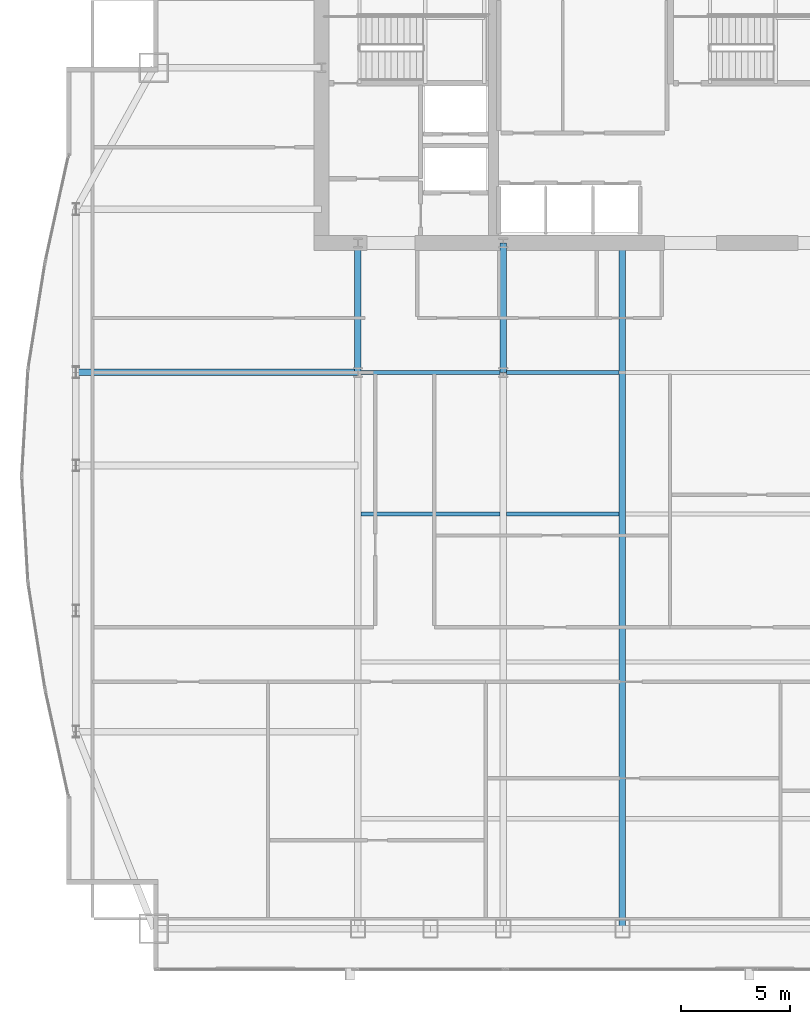
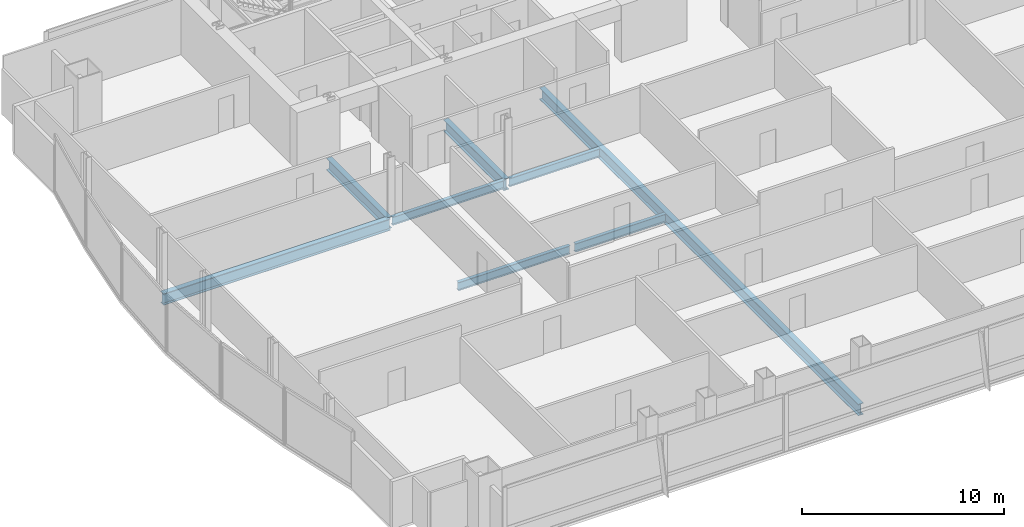
# One storey, part 12 of 29: 8 beams.
"""IFC4 building model written with IfcOpenShell, lengths in metres."""

from ifc_helpers import new_model, si_unit, direction, frame, origin, origin_2d, place, context, subcontext, project, spatial, i_section, extrude, material, material_profile, profile_set, type_object, element, save


model = new_model("IFC4")

# Units and contexts
model_context = context("Model", 3, precision=1e-05, world=origin(), true_north=direction((0.0, 1.0)))
body_context = subcontext(model_context, "Body", "Model", "MODEL_VIEW")
ifc_project = project(units=[si_unit("LENGTHUNIT", "METRE"), si_unit("AREAUNIT", "SQUARE_METRE"), si_unit("VOLUMEUNIT", "CUBIC_METRE"), si_unit("PLANEANGLEUNIT", "RADIAN"), si_unit("MASSUNIT", "GRAM", prefix="KILO")], contexts=[model_context])

# Site, building, storey
site_placement = place(None, origin())
site = spatial("IfcSite", under=ifc_project, at=site_placement, CompositionType="ELEMENT")
building_placement = place(site_placement, origin())
building = spatial("IfcBuilding", under=site, at=building_placement, Name="Khoronbel Lancet Exchange", CompositionType="ELEMENT")
storey_placement = place(building_placement, frame((0.0, 0.0, 161.39990234375)))
storey = spatial("IfcBuildingStorey", under=building, at=storey_placement, Name="L40", CompositionType="ELEMENT", Elevation=161.39990234375)

# Beams
ifc_material = material(Name="Steel S355", Category="steel")
ifc_material_profile_1 = material_profile(ifc_material, i_section(OverallWidth=0.300048828125, OverallDepth=0.699951171875, WebThickness=0.01708984375, FlangeThickness=0.031982421875, at=origin_2d()), Name="HEB 700")
ifc_profile_set_1 = profile_set([ifc_material_profile_1], Name="Steel S355")
beam_type_1 = type_object("IfcBeamType", Name="BM-BG3", PredefinedType="BEAM", material=ifc_profile_set_1)
for number, where, z_axis, x_axis, name in (
    (1, (18.22509765625, 35.699951171875, -0.510009765625), (0.0, 1.0, 0.0), (-1.0, 0.0, 0.0), "Level L40 spine tie girder GN1"),
    (2, (24.89990234375, 35.699951171875, -0.510009765625), (0.0, 1.0, 0.0), (-1.0, 0.0, 0.0), "Level L40 spine tie girder GN2"),
):
    element("IfcBeam", number, at=place(storey_placement, frame(where, z_axis=z_axis, x_axis=x_axis)), inside=storey, type_object=beam_type_1, Name=name, PredefinedType="BEAM", context=body_context, shape_type="SweptSolid", body=[
        extrude(i_section(OverallWidth=0.300048828125, OverallDepth=0.699951171875, WebThickness=0.01708984375, FlangeThickness=0.031982421875, at=origin_2d()), origin(), (0.0, 0.0, 1.0), 5.949951171875),
    ])
beam_1_placement = place(storey_placement, frame((30.375, 10.14990234375, -0.510009765625), z_axis=(0.0, 1.0, 0.0), x_axis=(-1.0, 0.0, 0.0)))
element("IfcBeam", 3, at=beam_1_placement, inside=storey, type_object=beam_type_1, Name="Level L40 primary floor girder G3", PredefinedType="BEAM", context=body_context, shape_type="SweptSolid", body=[
    extrude(i_section(OverallWidth=0.300048828125, OverallDepth=0.699951171875, WebThickness=0.01708984375, FlangeThickness=0.031982421875, at=origin_2d()), origin(), (0.0, 0.0, 1.0), 31.5),
])
beam_2_placement = place(storey_placement, frame((5.27001953125, 35.699951171875, -0.510009765625), z_axis=(1.0, 0.0, 0.0), x_axis=(0.0, 1.0, 0.0)))
element("IfcBeam", 4, at=beam_2_placement, inside=storey, type_object=beam_type_1, Name="Level L40 west lens tie girder LG4W", PredefinedType="BEAM", context=body_context, shape_type="SweptSolid", body=[
    extrude(i_section(OverallWidth=0.300048828125, OverallDepth=0.699951171875, WebThickness=0.01708984375, FlangeThickness=0.031982421875, at=origin_2d()), origin(), (0.0, 0.0, 1.0), 12.955078125),
])
ifc_material_profile_2 = material_profile(ifc_material, i_section(OverallWidth=0.199951171875, OverallDepth=0.5, WebThickness=0.01025390625, FlangeThickness=0.01611328125, at=origin_2d()), Name="IPE 500")
ifc_profile_set_2 = profile_set([ifc_material_profile_2], Name="Steel S355")
beam_type_2 = type_object("IfcBeamType", Name="BM-BJ3", PredefinedType="JOIST", material=ifc_profile_set_2)
beam_3_placement = place(storey_placement, frame((18.375, 29.199951171875, -0.409912109375), z_axis=(1.0, 0.0, 0.0), x_axis=(0.0, 1.0, 0.0)))
element("IfcBeam", 5, at=beam_3_placement, inside=storey, type_object=beam_type_2, Name="Level L40 secondary composite joist J11", PredefinedType="JOIST", context=body_context, shape_type="SweptSolid", body=[
    extrude(i_section(OverallWidth=0.199951171875, OverallDepth=0.5, WebThickness=0.01025390625, FlangeThickness=0.01611328125, at=origin_2d()), origin(), (0.0, 0.0, 1.0), 6.375),
])
beam_4_placement = place(storey_placement, frame((25.050048828125, 29.199951171875, -0.409912109375), z_axis=(1.0, 0.0, 0.0), x_axis=(0.0, 1.0, 0.0)))
element("IfcBeam", 6, at=beam_4_placement, inside=storey, type_object=beam_type_2, Name="Level L40 secondary composite joist J12", PredefinedType="JOIST", context=body_context, shape_type="SweptSolid", body=[
    extrude(i_section(OverallWidth=0.199951171875, OverallDepth=0.5, WebThickness=0.01025390625, FlangeThickness=0.01611328125, at=origin_2d()), origin(), (0.0, 0.0, 1.0), 5.175048828125),
])
beam_5_placement = place(storey_placement, frame((18.375, 35.699951171875, -0.409912109375), z_axis=(1.0, 0.0, 0.0), x_axis=(0.0, 1.0, 0.0)))
element("IfcBeam", 7, at=beam_5_placement, inside=storey, type_object=beam_type_2, Name="Level L40 secondary composite joist J16", PredefinedType="JOIST", context=body_context, shape_type="SweptSolid", body=[
    extrude(i_section(OverallWidth=0.199951171875, OverallDepth=0.5, WebThickness=0.01025390625, FlangeThickness=0.01611328125, at=origin_2d()), origin(), (0.0, 0.0, 1.0), 6.375),
])
beam_6_placement = place(storey_placement, frame((25.050048828125, 35.699951171875, -0.409912109375), z_axis=(1.0, 0.0, 0.0), x_axis=(0.0, 1.0, 0.0)))
element("IfcBeam", 8, at=beam_6_placement, inside=storey, type_object=beam_type_2, Name="Level L40 secondary composite joist J17", PredefinedType="JOIST", context=body_context, shape_type="SweptSolid", body=[
    extrude(i_section(OverallWidth=0.199951171875, OverallDepth=0.5, WebThickness=0.01025390625, FlangeThickness=0.01611328125, at=origin_2d()), origin(), (0.0, 0.0, 1.0), 5.175048828125),
])

save(model, "model.ifc")
